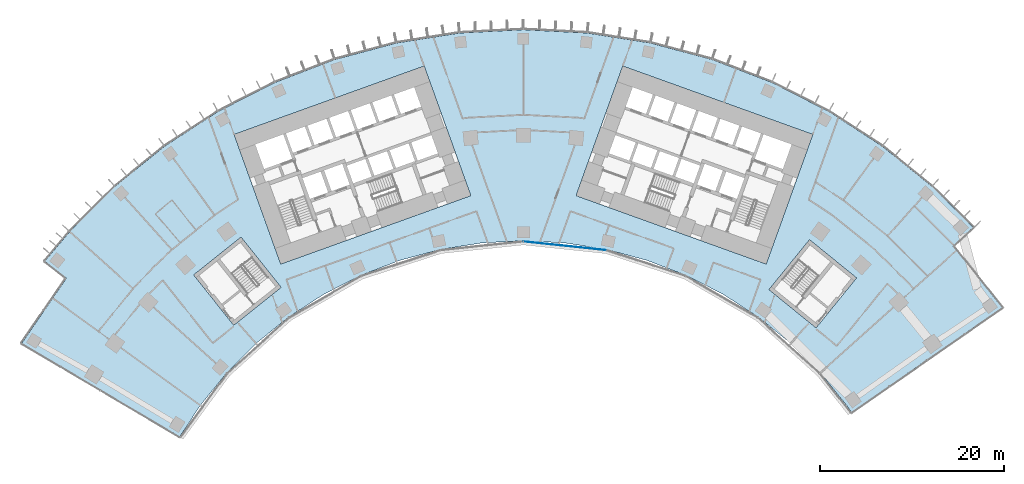
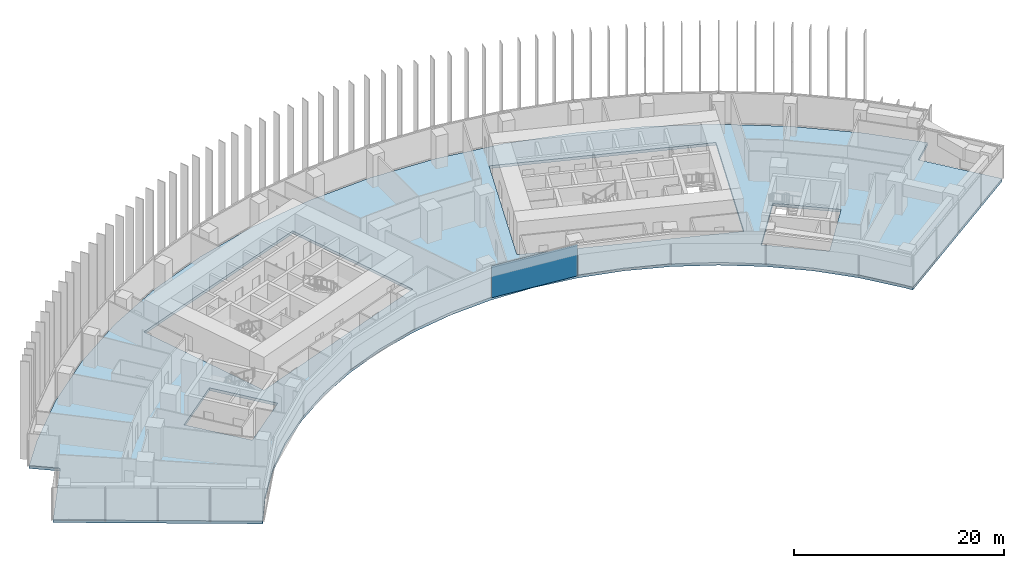
# One storey, part 15 of 24: 1 plate, 1 slab, 1 element without a shape of its own.
"""IFC4 building model written with IfcOpenShell, lengths in metres."""

from ifc_helpers import new_model, si_unit, direction, frame, origin, origin_2d, place, context, subcontext, project, spatial, polyline, rectangle, outline, extrude, material, layer, layer_set, type_object, element, aggregate, save


model = new_model("IFC4")

# Units and contexts
model_context = context("Model", 3, precision=1e-05, world=origin(), true_north=direction((0.0, 1.0)))
body_context = subcontext(model_context, "Body", "Model", "MODEL_VIEW")
ifc_project = project(units=[si_unit("LENGTHUNIT", "METRE"), si_unit("AREAUNIT", "SQUARE_METRE"), si_unit("VOLUMEUNIT", "CUBIC_METRE"), si_unit("PLANEANGLEUNIT", "RADIAN"), si_unit("MASSUNIT", "GRAM", prefix="KILO")], contexts=[model_context])

# Site, building, storey
site_placement = place(None, origin())
site = spatial("IfcSite", under=ifc_project, at=site_placement, CompositionType="ELEMENT")
building_placement = place(site_placement, origin())
building = spatial("IfcBuilding", under=site, at=building_placement, Name="Stone Belt Terrace Tower", CompositionType="ELEMENT")
storey_placement = place(building_placement, frame((0.0, 0.0, 64.199951171875)))
storey = spatial("IfcBuildingStorey", under=building, at=storey_placement, Name="L15", CompositionType="ELEMENT", Elevation=64.199951171875)

# Curtain wall, plate
ifc_material_1 = material(Name="Aluminium 6063-T6 anodised frame", Category="aluminium")
ifc_layer_1 = layer(ifc_material_1, 0.14990234375)
ifc_layer_set_1 = layer_set([ifc_layer_1], Name="CW-B unitised concave-face curtain wall")
curtain_wall_type = type_object("IfcCurtainWallType", Name="CW-B unitised concave-face curtain wall", PredefinedType="NOTDEFINED", material=ifc_layer_set_1)
curtain_wall_placement = place(storey_placement, origin())
curtain_wall = element("IfcCurtainWall", 1, at=curtain_wall_placement, inside=storey, type_object=curtain_wall_type, Name="CW-B concave face L15", PredefinedType="NOTDEFINED")
ifc_material_2 = material(Name="Clear double glazed unit")
ifc_layer_2 = layer(ifc_material_2, 0.030029296875)
ifc_layer_set_2 = layer_set([ifc_layer_2], Name="CW-B glass panel 30")
plate_type = type_object("IfcPlateType", Name="CW-B glass panel 30", PredefinedType="CURTAIN_PANEL", material=ifc_layer_set_2)
plate_placement = place(storey_placement, frame((4.51416015625, 42.9501953125, 0.0), z_axis=(0.0, 0.0, 1.0), x_axis=(0.994521895368, -0.104528463268, 0.0)))
plate = element("IfcPlate", 2, at=plate_placement, type_object=plate_type, Name="CW-B panel 6.1", PredefinedType="CURTAIN_PANEL", context=body_context, shape_type="SweptSolid", body=[
    extrude(rectangle(XDim=9.0126953125, YDim=0.030029296875, at=origin_2d()), origin(), (0.0, 0.0, 1.0), 3.679931640625),
])
aggregate(curtain_wall, [plate])

# Slab
ifc_material_3 = material(Name="Concrete B40", Category="concrete")
ifc_layer_3 = layer(ifc_material_3, 0.320068359375)
ifc_layer_set_3 = layer_set([ifc_layer_3], Name="Floor slab 320 B40")
slab_type = type_object("IfcSlabType", Name="Floor slab 320 B40", PredefinedType="FLOOR", material=ifc_layer_set_3)
slab_placement = place(storey_placement, frame((0.0, 0.0, -0.320068359375)))
element("IfcSlab", 3, at=slab_placement, inside=storey, type_object=slab_type, Name="Floor slab L15", PredefinedType="FLOOR", context=body_context, shape_type="SweptSolid", body=[
    extrude(outline(polyline([(-49.419189453125, 44.497314453125), (-44.497314453125, 49.419189453125), (-39.087646484375, 53.799560546875), (-33.25, 57.5908203125), (-27.048095703125, 60.750732421875), (-20.549560546875, 63.245361328125), (-13.826171875, 65.046875), (-6.951171875, 66.1357421875), (0.0, 66.5), (6.951171875, 66.1357421875), (13.826171875, 65.046875), (20.549560546875, 63.245361328125), (27.048095703125, 60.750732421875), (33.25, 57.5908203125), (39.087646484375, 53.799560546875), (44.497314453125, 49.419189453125), (48.99609375, 44.962646484375), (46.78564453125, 42.934326171875), (52.15087890625, 36.22900390625), (35.725341796875, 24.818359375), (35.192138671875, 25.568603515625), (32.326904296875, 29.107177734375), (29.107177734375, 32.326904296875), (25.568603515625, 35.192138671875), (21.75, 37.672119140625), (17.693115234375, 39.7392578125), (13.442138671875, 41.37109375), (9.044189453125, 42.54931640625), (4.547119140625, 43.26171875), (0.0, 43.5), (-4.547119140625, 43.26171875), (-9.044189453125, 42.54931640625), (-13.442138671875, 41.37109375), (-17.693115234375, 39.7392578125), (-21.75, 37.672119140625), (-25.568603515625, 35.192138671875), (-29.107177734375, 32.326904296875), (-32.326904296875, 29.107177734375), (-35.192138671875, 25.568603515625), (-37.434326171875, 22.156982421875), (-54.6455078125, 32.343994140625), (-49.78173828125, 39.421142578125), (-52.133544921875, 41.28369140625), (-49.419189453125, 44.497314453125)]), holes=[polyline([(-26.434814453125, 40.968994140625), (-5.734619140625, 48.418701171875), (-10.81396484375, 62.532470703125), (-31.51416015625, 55.082763671875), (-26.434814453125, 40.968994140625)]), polyline([(10.81396484375, 62.532470703125), (5.734619140625, 48.418701171875), (26.434814453125, 40.968994140625), (31.51416015625, 55.082763671875), (10.81396484375, 62.532470703125)]), polyline([(-35.91796875, 39.787353515625), (-31.55615234375, 34.3125), (-26.39404296875, 38.425048828125), (-30.756103515625, 43.89990234375), (-35.91796875, 39.787353515625)]), polyline([(36.2783203125, 39.459228515625), (31.15380859375, 43.61865234375), (26.742431640625, 38.18359375), (31.86669921875, 34.024169921875), (36.2783203125, 39.459228515625)])]), origin(), (0.0, 0.0, 1.0), 0.320068359375),
])

save(model, "model.ifc")
